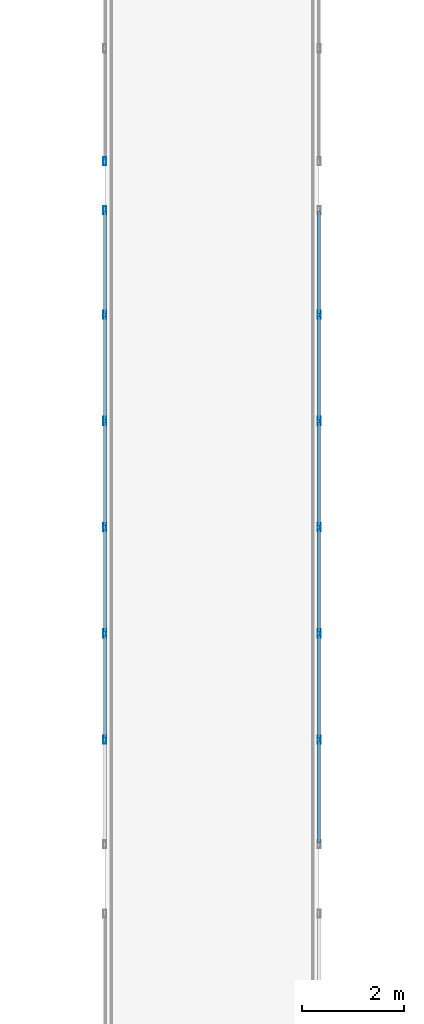
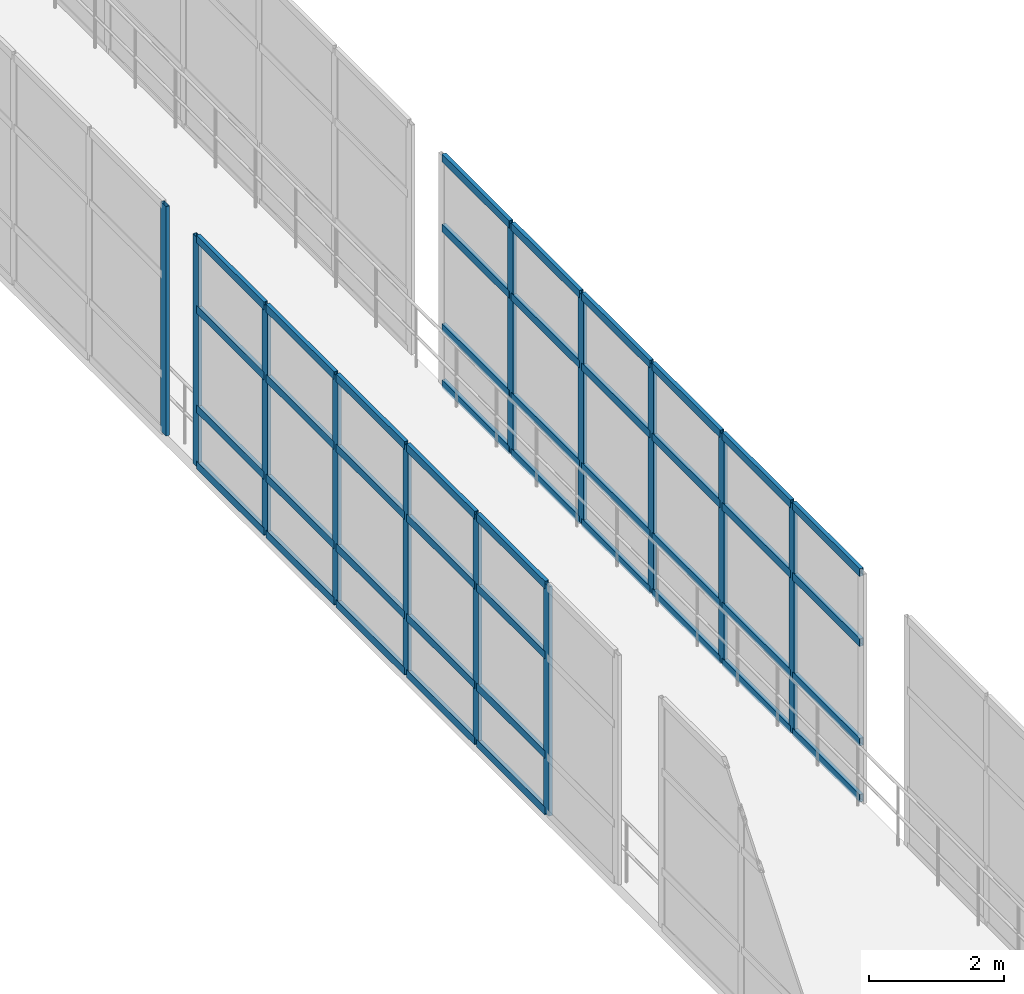
# One storey, part 66 of 116: 56 members, 3 elements without a shape of their own.
"""IFC4 building model written with IfcOpenShell, lengths in metres."""

import ifcopenshell
import ifcopenshell.guid

model = None  # the IFC model being written
_history = None  # IfcOwnerHistory: only IFC2X3 demands one
_inside = {}  # id of a spatial element -> (the spatial element, [elements in it])
_under = {}  # id of a project, library or spatial element -> (it, [spatial elements below it])
_declared = {}  # id of a project -> (the project, [libraries it declares])
_typed = {}  # id of a type object -> (the type object, [elements of that type])
_made_of = {}  # id of a material, layer set ... -> (it, [elements and type objects made of it])


def new_model(schema):
    """Start an empty IFC model of exactly this schema.

    Asked for "IFC4X3", IfcOpenShell would pick the latest addendum, in which some entities
    have other attributes; the version numbers below select the first issue.
    IFC2X3 requires an IfcOwnerHistory on every rooted entity: one is made here for all.
    """
    global model, _history
    if schema == "IFC4X3":
        model = ifcopenshell.file(schema_version=(4, 3, 0, 0))
    else:
        model = ifcopenshell.file(schema=schema)
    _inside.clear()
    _under.clear()
    _declared.clear()
    _typed.clear()
    _made_of.clear()
    _history = None
    if model.schema == "IFC2X3":
        org = make("IfcOrganization", Name="unknown")
        user = make(
            "IfcPersonAndOrganization",
            ThePerson=make("IfcPerson", FamilyName="unknown"),
            TheOrganization=org,
        )
        app = make(
            "IfcApplication",
            ApplicationDeveloper=org,
            Version="unknown",
            ApplicationFullName="unknown",
            ApplicationIdentifier="unknown",
        )
        _history = make(
            "IfcOwnerHistory",
            OwningUser=user,
            OwningApplication=app,
            ChangeAction="ADDED",
            CreationDate=0,
        )
    return model


def make(cls, **values):
    """One entity of the class cls with the attributes given. An attribute that is None is left unset."""
    return model.create_entity(
        cls, **{name: value for name, value in values.items() if value is not None}
    )


def rooted(cls, **values):
    """An entity with a GlobalId (a new one), such as an element, a storey or a relation."""
    return make(cls, GlobalId=ifcopenshell.guid.new(), OwnerHistory=_history, **values)


def si_unit(unit_type, name, prefix=None):
    """IfcSIUnit, for example si_unit("LENGTHUNIT", "METRE", prefix="MILLI")."""
    return make("IfcSIUnit", UnitType=unit_type, Prefix=prefix, Name=name)


def assignment(units):
    """IfcUnitAssignment: the units of a project."""
    return None if units is None else make("IfcUnitAssignment", Units=units)


def point(xyz):
    """IfcCartesianPoint."""
    return None if xyz is None else make("IfcCartesianPoint", Coordinates=xyz)


def direction(xyz):
    """IfcDirection."""
    return None if xyz is None else make("IfcDirection", DirectionRatios=xyz)


def frame(location, z_axis=None, x_axis=None):
    """IfcAxis2Placement3D, a coordinate frame: its origin and axes. An axis left out is left unset."""
    return make(
        "IfcAxis2Placement3D",
        Location=point(location),
        Axis=direction(z_axis),
        RefDirection=direction(x_axis),
    )


def frame_2d(location, x_axis=None):
    """IfcAxis2Placement2D, a coordinate frame in the plane: its origin and x axis."""
    return make(
        "IfcAxis2Placement2D", Location=point(location), RefDirection=direction(x_axis)
    )


def origin():
    """The frame at (0, 0, 0) with its axes left unset."""
    return frame((0.0, 0.0, 0.0))


def origin_2d():
    """The frame at (0, 0) in the plane with its x axis left unset."""
    return frame_2d((0.0, 0.0))


def place(relative_to, where):
    """IfcLocalPlacement: puts the frame where relative to a parent placement (None: the world)."""
    return make(
        "IfcLocalPlacement", PlacementRelTo=relative_to, RelativePlacement=where
    )


def context(
    kind, dimensions, precision=None, world=None, true_north=None, identifier=None
):
    """IfcGeometricRepresentationContext, for example the 3D "Model" context."""
    return make(
        "IfcGeometricRepresentationContext",
        ContextIdentifier=identifier,
        ContextType=kind,
        CoordinateSpaceDimension=dimensions,
        Precision=precision,
        WorldCoordinateSystem=world,
        TrueNorth=true_north,
    )


def subcontext(parent, identifier, kind, view, scale=None):
    """IfcGeometricRepresentationSubContext, for example "Body" below "Model"."""
    return make(
        "IfcGeometricRepresentationSubContext",
        ContextIdentifier=identifier,
        ContextType=kind,
        ParentContext=parent,
        TargetScale=scale,
        TargetView=view,
    )


def project(units=None, contexts=None):
    """IfcProject with its units and contexts."""
    return rooted(
        "IfcProject",
        Name="project",
        RepresentationContexts=contexts,
        UnitsInContext=assignment(units),
    )


def spatial(cls, under=None, at=None, **own):
    """A site, building, storey or space (cls), placed at a placement, below another one or the project."""
    s = rooted(cls, ObjectPlacement=at, **own)
    if under is not None:
        _under.setdefault(under.id(), (under, []))[1].append(s)
    return s


def profile(cls, at=None, kind="AREA", **sizes):
    """A parametric profile (cls). Its sizes go by their IFC names, for example OverallWidth=200.0."""
    return make(cls, ProfileType=kind, Position=at, **sizes)


def hollow_rectangle(**sizes):
    """IfcRectangleHollowProfileDef."""
    return profile("IfcRectangleHollowProfileDef", **sizes)


def extrude(swept, where, along, depth):
    """IfcExtrudedAreaSolid: the profile swept, set in the frame where, extruded along a direction by depth."""
    return make(
        "IfcExtrudedAreaSolid",
        SweptArea=swept,
        Position=where,
        ExtrudedDirection=direction(along),
        Depth=depth,
    )


def shape(context_of_items, identifier, shape_type, items):
    """IfcShapeRepresentation: the items that make up one representation, for example the "Body"."""
    return make(
        "IfcShapeRepresentation",
        ContextOfItems=context_of_items,
        RepresentationIdentifier=identifier,
        RepresentationType=shape_type,
        Items=items,
    )


def material(Name=None, Category=None):
    """IfcMaterial."""
    return make("IfcMaterial", Name=Name, Category=Category)


def layer(
    of_material, thickness, ventilated=None, Name=None, Category=None, Priority=None
):
    """IfcMaterialLayer: one layer of a wall or slab, of a material (None: an air gap)."""
    return make(
        "IfcMaterialLayer",
        Material=of_material,
        LayerThickness=thickness,
        IsVentilated=ventilated,
        Name=Name,
        Category=Category,
        Priority=Priority,
    )


def layer_set(layers, Name=None):
    """IfcMaterialLayerSet."""
    return make("IfcMaterialLayerSet", MaterialLayers=layers, LayerSetName=Name)


def material_profile(
    of_material, cross_section, Name=None, Category=None, Priority=None
):
    """IfcMaterialProfile: a cross section and its material."""
    return make(
        "IfcMaterialProfile",
        Name=Name,
        Material=of_material,
        Profile=cross_section,
        Priority=Priority,
        Category=Category,
    )


def profile_set(profiles, Name=None, composite=None):
    """IfcMaterialProfileSet."""
    return make(
        "IfcMaterialProfileSet",
        Name=Name,
        MaterialProfiles=profiles,
        CompositeProfile=composite,
    )


def made_of(thing, what):
    """Note that an element or type object is made of a material, layer set ...; save() writes the relation."""
    if what is not None:
        _made_of.setdefault(what.id(), (what, []))[1].append(thing)
    return thing


def type_object(cls, material=None, **own):
    """A type object (cls), such as IfcWallType, which elements share."""
    return made_of(rooted(cls, **own), material)


def element(
    cls,
    number,
    at=None,
    inside=None,
    cuts=None,
    type_object=None,
    material=None,
    context=None,
    identifier="Body",
    shape_type=None,
    held_by="IfcProductDefinitionShape",
    body=None,
    shapes=None,
    **own,
):
    """One element of the class cls, such as IfcWall. Its Tag is "e" and its number.

    at: its placement. inside: the storey or other place that contains it. cuts: it is an
    opening in that element (IfcRelVoidsElement). A single representation is given by context,
    identifier, shape_type and body (its items); several are given by shapes. held_by: the class
    of the entity that holds the representations. save() writes the other relations.
    """
    e = rooted(cls, Tag="e%d" % number, ObjectPlacement=at, **own)
    if body is not None:
        shapes = [shape(context, identifier, shape_type, body)]
    if shapes is not None:
        e.Representation = make(held_by, Representations=shapes)
    if inside is not None:
        _inside.setdefault(inside.id(), (inside, []))[1].append(e)
    if cuts is not None:
        rooted(
            "IfcRelVoidsElement", RelatingBuildingElement=cuts, RelatedOpeningElement=e
        )
    if type_object is not None:
        _typed.setdefault(type_object.id(), (type_object, []))[1].append(e)
    return made_of(e, material)


def aggregate(whole, parts):
    """IfcRelAggregates: a whole, such as a stair, and the parts it consists of."""
    return rooted("IfcRelAggregates", RelatingObject=whole, RelatedObjects=parts)


def save(model, path):
    """Write the relations noted so far, then the file.

    IfcRelAggregates (storeys below a building ...), IfcRelContainedInSpatialStructure (elements
    in a storey), IfcRelDefinesByType, IfcRelAssociatesMaterial and IfcRelDeclares: one each for
    every whole, place, type object, material and project.
    """
    for whole, parts in _under.values():
        aggregate(whole, parts)
    for where, things in _inside.values():
        rooted(
            "IfcRelContainedInSpatialStructure",
            RelatedElements=things,
            RelatingStructure=where,
        )
    for kind, things in _typed.values():
        rooted("IfcRelDefinesByType", RelatedObjects=things, RelatingType=kind)
    for what, things in _made_of.values():
        rooted("IfcRelAssociatesMaterial", RelatedObjects=things, RelatingMaterial=what)
    for by, libraries in _declared.values():
        rooted("IfcRelDeclares", RelatingContext=by, RelatedDefinitions=libraries)
    model.write(path)


model = new_model("IFC4")

# Units and contexts
model_context = context("Model", 3, precision=1e-05, world=origin(), true_north=direction((0.0, 1.0)))
body_context = subcontext(model_context, "Body", "Model", "MODEL_VIEW")
ifc_project = project(units=[si_unit("LENGTHUNIT", "METRE"), si_unit("AREAUNIT", "SQUARE_METRE"), si_unit("VOLUMEUNIT", "CUBIC_METRE"), si_unit("PLANEANGLEUNIT", "RADIAN"), si_unit("MASSUNIT", "GRAM", prefix="KILO")], contexts=[model_context])

# Site, building, storey
site_placement = place(None, origin())
site = spatial("IfcSite", under=ifc_project, at=site_placement, CompositionType="ELEMENT")
building_placement = place(site_placement, origin())
building = spatial("IfcBuilding", under=site, at=building_placement, Name="Selat Folded Stagehouse", CompositionType="ELEMENT")
storey_placement = place(building_placement, frame((0.0, 0.0, 5.39990234375)))
storey = spatial("IfcBuildingStorey", under=building, at=storey_placement, Name="L01", CompositionType="ELEMENT", Elevation=5.39990234375)

# Curtain wall, members
ifc_material = material(Name="Aluminium 6063-T6", Category="aluminium")
ifc_layer = layer(ifc_material, 0.175048828125)
ifc_layer_set = layer_set([ifc_layer], Name="Aluminium 6063-T6")
curtain_wall_type = type_object("IfcCurtainWallType", Name="CW-BRG-GLAZ", PredefinedType="NOTDEFINED", material=ifc_layer_set)
curtain_wall_1_placement = place(storey_placement, origin())
curtain_wall_1 = element("IfcCurtainWall", 1, at=curtain_wall_1_placement, inside=storey, type_object=curtain_wall_type, Name="L01 curtain wall CW-BRG-04", PredefinedType="NOTDEFINED")
ifc_material_profile_1 = material_profile(ifc_material, hollow_rectangle(XDim=0.06005859375, YDim=0.159912109375, WallThickness=0.00390625, at=origin_2d()), Name="ALU 160x60x4.0")
ifc_profile_set_1 = profile_set([ifc_material_profile_1], Name="Aluminium 6063-T6")
member_type_1 = type_object("IfcMemberType", Name="CWM-MUL-160x60", PredefinedType="MULLION", material=ifc_profile_set_1)
member_1_placement = place(storey_placement, frame((67.199951171875, 65.13330078125, 0.0), z_axis=(0.0, 0.0, 1.0), x_axis=(-1.0, 0.0, 0.0)))
member_1 = element("IfcMember", 2, at=member_1_placement, type_object=member_type_1, Name="CW-07 mullion 2", PredefinedType="MULLION", context=body_context, shape_type="SweptSolid", body=[
    extrude(hollow_rectangle(XDim=0.06005859375, YDim=0.159912109375, WallThickness=0.00390625, at=origin_2d()), origin(), (0.0, 0.0, 1.0), 4.150146484375),
])
member_2_placement = place(storey_placement, frame((67.199951171875, 67.216552734375, 0.0), z_axis=(0.0, 0.0, 1.0), x_axis=(-1.0, 0.0, 0.0)))
member_2 = element("IfcMember", 3, at=member_2_placement, type_object=member_type_1, Name="CW-07 mullion 3", PredefinedType="MULLION", context=body_context, shape_type="SweptSolid", body=[
    extrude(hollow_rectangle(XDim=0.06005859375, YDim=0.159912109375, WallThickness=0.00390625, at=origin_2d()), origin(), (0.0, 0.0, 1.0), 4.150146484375),
])
member_3_placement = place(storey_placement, frame((67.199951171875, 69.300048828125, 0.0), z_axis=(0.0, 0.0, 1.0), x_axis=(-1.0, 0.0, 0.0)))
member_3 = element("IfcMember", 4, at=member_3_placement, type_object=member_type_1, Name="CW-07 mullion 4", PredefinedType="MULLION", context=body_context, shape_type="SweptSolid", body=[
    extrude(hollow_rectangle(XDim=0.06005859375, YDim=0.159912109375, WallThickness=0.00390625, at=origin_2d()), origin(), (0.0, 0.0, 1.0), 4.150146484375),
])
member_4_placement = place(storey_placement, frame((67.199951171875, 71.38330078125, 0.0), z_axis=(0.0, 0.0, 1.0), x_axis=(-1.0, 0.0, 0.0)))
member_4 = element("IfcMember", 5, at=member_4_placement, type_object=member_type_1, Name="CW-07 mullion 5", PredefinedType="MULLION", context=body_context, shape_type="SweptSolid", body=[
    extrude(hollow_rectangle(XDim=0.06005859375, YDim=0.159912109375, WallThickness=0.00390625, at=origin_2d()), origin(), (0.0, 0.0, 1.0), 4.150146484375),
])
member_5_placement = place(storey_placement, frame((67.199951171875, 73.466552734375, 0.0), z_axis=(0.0, 0.0, 1.0), x_axis=(-1.0, 0.0, 0.0)))
member_5 = element("IfcMember", 6, at=member_5_placement, type_object=member_type_1, Name="CW-07 mullion 6", PredefinedType="MULLION", context=body_context, shape_type="SweptSolid", body=[
    extrude(hollow_rectangle(XDim=0.06005859375, YDim=0.159912109375, WallThickness=0.00390625, at=origin_2d()), origin(), (0.0, 0.0, 1.0), 4.150146484375),
])
member_6_placement = place(storey_placement, frame((67.199951171875, 75.52001953125, 0.0), z_axis=(0.0, 0.0, 1.0), x_axis=(-1.0, 0.0, 0.0)))
member_6 = element("IfcMember", 7, at=member_6_placement, type_object=member_type_1, Name="CW-07 mullion 7", PredefinedType="MULLION", context=body_context, shape_type="SweptSolid", body=[
    extrude(hollow_rectangle(XDim=0.06005859375, YDim=0.159912109375, WallThickness=0.00390625, at=origin_2d()), origin(), (0.0, 0.0, 1.0), 4.150146484375),
])

# Curtain wall, member
curtain_wall_2_placement = place(storey_placement, origin())
curtain_wall_2 = element("IfcCurtainWall", 8, at=curtain_wall_2_placement, inside=storey, type_object=curtain_wall_type, Name="L01 curtain wall CW-BRG-05", PredefinedType="NOTDEFINED")
member_7_placement = place(storey_placement, frame((67.199951171875, 76.47998046875, 0.0), z_axis=(0.0, 0.0, 1.0), x_axis=(-1.0, 0.0, 0.0)))
member_7 = element("IfcMember", 9, at=member_7_placement, type_object=member_type_1, Name="CW-07 mullion 1", PredefinedType="MULLION", context=body_context, shape_type="SweptSolid", body=[
    extrude(hollow_rectangle(XDim=0.06005859375, YDim=0.159912109375, WallThickness=0.00390625, at=origin_2d()), origin(), (0.0, 0.0, 1.0), 4.150146484375),
])
aggregate(curtain_wall_2, [member_7])

# Curtain wall, members
curtain_wall_3_placement = place(storey_placement, origin())
curtain_wall_3 = element("IfcCurtainWall", 10, at=curtain_wall_3_placement, inside=storey, type_object=curtain_wall_type, Name="L01 curtain wall CW-BRG-09", PredefinedType="NOTDEFINED")
member_8_placement = place(storey_placement, frame((71.39990234375, 73.466552734375, 0.0), z_axis=(0.0, 0.0, 1.0), x_axis=(1.0, 0.0, 0.0)))
member_8 = element("IfcMember", 11, at=member_8_placement, type_object=member_type_1, Name="CW-07 mullion 2", PredefinedType="MULLION", context=body_context, shape_type="SweptSolid", body=[
    extrude(hollow_rectangle(XDim=0.06005859375, YDim=0.159912109375, WallThickness=0.00390625, at=origin_2d()), origin(), (0.0, 0.0, 1.0), 4.150146484375),
])
member_9_placement = place(storey_placement, frame((71.39990234375, 71.38330078125, 0.0), z_axis=(0.0, 0.0, 1.0), x_axis=(1.0, 0.0, 0.0)))
member_9 = element("IfcMember", 12, at=member_9_placement, type_object=member_type_1, Name="CW-07 mullion 3", PredefinedType="MULLION", context=body_context, shape_type="SweptSolid", body=[
    extrude(hollow_rectangle(XDim=0.06005859375, YDim=0.159912109375, WallThickness=0.00390625, at=origin_2d()), origin(), (0.0, 0.0, 1.0), 4.150146484375),
])
member_10_placement = place(storey_placement, frame((71.39990234375, 69.300048828125, 0.0), z_axis=(0.0, 0.0, 1.0), x_axis=(1.0, 0.0, 0.0)))
member_10 = element("IfcMember", 13, at=member_10_placement, type_object=member_type_1, Name="CW-07 mullion 4", PredefinedType="MULLION", context=body_context, shape_type="SweptSolid", body=[
    extrude(hollow_rectangle(XDim=0.06005859375, YDim=0.159912109375, WallThickness=0.00390625, at=origin_2d()), origin(), (0.0, 0.0, 1.0), 4.150146484375),
])
member_11_placement = place(storey_placement, frame((71.39990234375, 67.216552734375, 0.0), z_axis=(0.0, 0.0, 1.0), x_axis=(1.0, 0.0, 0.0)))
member_11 = element("IfcMember", 14, at=member_11_placement, type_object=member_type_1, Name="CW-07 mullion 5", PredefinedType="MULLION", context=body_context, shape_type="SweptSolid", body=[
    extrude(hollow_rectangle(XDim=0.06005859375, YDim=0.159912109375, WallThickness=0.00390625, at=origin_2d()), origin(), (0.0, 0.0, 1.0), 4.150146484375),
])
member_12_placement = place(storey_placement, frame((71.39990234375, 65.13330078125, 0.0), z_axis=(0.0, 0.0, 1.0), x_axis=(1.0, 0.0, 0.0)))
member_12 = element("IfcMember", 15, at=member_12_placement, type_object=member_type_1, Name="CW-07 mullion 6", PredefinedType="MULLION", context=body_context, shape_type="SweptSolid", body=[
    extrude(hollow_rectangle(XDim=0.06005859375, YDim=0.159912109375, WallThickness=0.00390625, at=origin_2d()), origin(), (0.0, 0.0, 1.0), 4.150146484375),
])

# Member
ifc_material_profile_2 = material_profile(ifc_material, hollow_rectangle(XDim=0.06494140625, YDim=0.139892578125, WallThickness=0.00390625, at=origin_2d()), Name="ALU 140x65x4.0")
ifc_profile_set_2 = profile_set([ifc_material_profile_2], Name="Aluminium 6063-T6")
member_type_2 = type_object("IfcMemberType", Name="CWM-TRN-140x65", PredefinedType="USERDEFINED", material=ifc_profile_set_2)
member_13_placement = place(storey_placement, frame((67.199951171875, 65.163330078125, 0.03271484375), z_axis=(0.0, 1.0, 0.0), x_axis=(-1.0, 0.0, 0.0)))
member_13 = element("IfcMember", 16, at=member_13_placement, type_object=member_type_2, Name="CW-07 transom 2.1", ObjectType="TRANSOM", PredefinedType="USERDEFINED", context=body_context, shape_type="SweptSolid", body=[
    extrude(hollow_rectangle(XDim=0.06494140625, YDim=0.139892578125, WallThickness=0.00390625, at=origin_2d()), origin(), (0.0, 0.0, 1.0), 2.0234375),
])

member_14_placement = place(storey_placement, frame((67.199951171875, 65.163330078125, 1.050048828125), z_axis=(0.0, 1.0, 0.0), x_axis=(-1.0, 0.0, 0.0)))
member_14 = element("IfcMember", 17, at=member_14_placement, type_object=member_type_2, Name="CW-07 transom 2.2", ObjectType="TRANSOM", PredefinedType="USERDEFINED", context=body_context, shape_type="SweptSolid", body=[
    extrude(hollow_rectangle(XDim=0.06494140625, YDim=0.139892578125, WallThickness=0.00390625, at=origin_2d()), origin(), (0.0, 0.0, 1.0), 2.0234375),
])

member_15_placement = place(storey_placement, frame((67.199951171875, 65.163330078125, 2.85009765625), z_axis=(0.0, 1.0, 0.0), x_axis=(-1.0, 0.0, 0.0)))
member_15 = element("IfcMember", 18, at=member_15_placement, type_object=member_type_2, Name="CW-07 transom 2.3", ObjectType="TRANSOM", PredefinedType="USERDEFINED", context=body_context, shape_type="SweptSolid", body=[
    extrude(hollow_rectangle(XDim=0.06494140625, YDim=0.139892578125, WallThickness=0.00390625, at=origin_2d()), origin(), (0.0, 0.0, 1.0), 2.0234375),
])

member_16_placement = place(storey_placement, frame((67.199951171875, 65.163330078125, 4.11767578125), z_axis=(0.0, 1.0, 0.0), x_axis=(-1.0, 0.0, 0.0)))
member_16 = element("IfcMember", 19, at=member_16_placement, type_object=member_type_2, Name="CW-07 transom 2.4", ObjectType="TRANSOM", PredefinedType="USERDEFINED", context=body_context, shape_type="SweptSolid", body=[
    extrude(hollow_rectangle(XDim=0.06494140625, YDim=0.139892578125, WallThickness=0.00390625, at=origin_2d()), origin(), (0.0, 0.0, 1.0), 2.0234375),
])

member_17_placement = place(storey_placement, frame((67.199951171875, 67.24658203125, 0.03271484375), z_axis=(0.0, 1.0, 0.0), x_axis=(-1.0, 0.0, 0.0)))
member_17 = element("IfcMember", 20, at=member_17_placement, type_object=member_type_2, Name="CW-07 transom 3.1", ObjectType="TRANSOM", PredefinedType="USERDEFINED", context=body_context, shape_type="SweptSolid", body=[
    extrude(hollow_rectangle(XDim=0.06494140625, YDim=0.139892578125, WallThickness=0.00390625, at=origin_2d()), origin(), (0.0, 0.0, 1.0), 2.0234375),
])

member_18_placement = place(storey_placement, frame((67.199951171875, 67.24658203125, 1.050048828125), z_axis=(0.0, 1.0, 0.0), x_axis=(-1.0, 0.0, 0.0)))
member_18 = element("IfcMember", 21, at=member_18_placement, type_object=member_type_2, Name="CW-07 transom 3.2", ObjectType="TRANSOM", PredefinedType="USERDEFINED", context=body_context, shape_type="SweptSolid", body=[
    extrude(hollow_rectangle(XDim=0.06494140625, YDim=0.139892578125, WallThickness=0.00390625, at=origin_2d()), origin(), (0.0, 0.0, 1.0), 2.0234375),
])

member_19_placement = place(storey_placement, frame((67.199951171875, 67.24658203125, 2.85009765625), z_axis=(0.0, 1.0, 0.0), x_axis=(-1.0, 0.0, 0.0)))
member_19 = element("IfcMember", 22, at=member_19_placement, type_object=member_type_2, Name="CW-07 transom 3.3", ObjectType="TRANSOM", PredefinedType="USERDEFINED", context=body_context, shape_type="SweptSolid", body=[
    extrude(hollow_rectangle(XDim=0.06494140625, YDim=0.139892578125, WallThickness=0.00390625, at=origin_2d()), origin(), (0.0, 0.0, 1.0), 2.0234375),
])

member_20_placement = place(storey_placement, frame((67.199951171875, 67.24658203125, 4.11767578125), z_axis=(0.0, 1.0, 0.0), x_axis=(-1.0, 0.0, 0.0)))
member_20 = element("IfcMember", 23, at=member_20_placement, type_object=member_type_2, Name="CW-07 transom 3.4", ObjectType="TRANSOM", PredefinedType="USERDEFINED", context=body_context, shape_type="SweptSolid", body=[
    extrude(hollow_rectangle(XDim=0.06494140625, YDim=0.139892578125, WallThickness=0.00390625, at=origin_2d()), origin(), (0.0, 0.0, 1.0), 2.0234375),
])

member_21_placement = place(storey_placement, frame((67.199951171875, 69.330078125, 0.03271484375), z_axis=(0.0, 1.0, 0.0), x_axis=(-1.0, 0.0, 0.0)))
member_21 = element("IfcMember", 24, at=member_21_placement, type_object=member_type_2, Name="CW-07 transom 4.1", ObjectType="TRANSOM", PredefinedType="USERDEFINED", context=body_context, shape_type="SweptSolid", body=[
    extrude(hollow_rectangle(XDim=0.06494140625, YDim=0.139892578125, WallThickness=0.00390625, at=origin_2d()), origin(), (0.0, 0.0, 1.0), 2.023193359375),
])

member_22_placement = place(storey_placement, frame((67.199951171875, 69.330078125, 1.050048828125), z_axis=(0.0, 1.0, 0.0), x_axis=(-1.0, 0.0, 0.0)))
member_22 = element("IfcMember", 25, at=member_22_placement, type_object=member_type_2, Name="CW-07 transom 4.2", ObjectType="TRANSOM", PredefinedType="USERDEFINED", context=body_context, shape_type="SweptSolid", body=[
    extrude(hollow_rectangle(XDim=0.06494140625, YDim=0.139892578125, WallThickness=0.00390625, at=origin_2d()), origin(), (0.0, 0.0, 1.0), 2.023193359375),
])

member_23_placement = place(storey_placement, frame((67.199951171875, 69.330078125, 2.85009765625), z_axis=(0.0, 1.0, 0.0), x_axis=(-1.0, 0.0, 0.0)))
member_23 = element("IfcMember", 26, at=member_23_placement, type_object=member_type_2, Name="CW-07 transom 4.3", ObjectType="TRANSOM", PredefinedType="USERDEFINED", context=body_context, shape_type="SweptSolid", body=[
    extrude(hollow_rectangle(XDim=0.06494140625, YDim=0.139892578125, WallThickness=0.00390625, at=origin_2d()), origin(), (0.0, 0.0, 1.0), 2.023193359375),
])

member_24_placement = place(storey_placement, frame((67.199951171875, 69.330078125, 4.11767578125), z_axis=(0.0, 1.0, 0.0), x_axis=(-1.0, 0.0, 0.0)))
member_24 = element("IfcMember", 27, at=member_24_placement, type_object=member_type_2, Name="CW-07 transom 4.4", ObjectType="TRANSOM", PredefinedType="USERDEFINED", context=body_context, shape_type="SweptSolid", body=[
    extrude(hollow_rectangle(XDim=0.06494140625, YDim=0.139892578125, WallThickness=0.00390625, at=origin_2d()), origin(), (0.0, 0.0, 1.0), 2.023193359375),
])

member_25_placement = place(storey_placement, frame((67.199951171875, 71.413330078125, 0.03271484375), z_axis=(0.0, 1.0, 0.0), x_axis=(-1.0, 0.0, 0.0)))
member_25 = element("IfcMember", 28, at=member_25_placement, type_object=member_type_2, Name="CW-07 transom 5.1", ObjectType="TRANSOM", PredefinedType="USERDEFINED", context=body_context, shape_type="SweptSolid", body=[
    extrude(hollow_rectangle(XDim=0.06494140625, YDim=0.139892578125, WallThickness=0.00390625, at=origin_2d()), origin(), (0.0, 0.0, 1.0), 2.0234375),
])

member_26_placement = place(storey_placement, frame((67.199951171875, 71.413330078125, 1.050048828125), z_axis=(0.0, 1.0, 0.0), x_axis=(-1.0, 0.0, 0.0)))
member_26 = element("IfcMember", 29, at=member_26_placement, type_object=member_type_2, Name="CW-07 transom 5.2", ObjectType="TRANSOM", PredefinedType="USERDEFINED", context=body_context, shape_type="SweptSolid", body=[
    extrude(hollow_rectangle(XDim=0.06494140625, YDim=0.139892578125, WallThickness=0.00390625, at=origin_2d()), origin(), (0.0, 0.0, 1.0), 2.0234375),
])

member_27_placement = place(storey_placement, frame((67.199951171875, 71.413330078125, 2.85009765625), z_axis=(0.0, 1.0, 0.0), x_axis=(-1.0, 0.0, 0.0)))
member_27 = element("IfcMember", 30, at=member_27_placement, type_object=member_type_2, Name="CW-07 transom 5.3", ObjectType="TRANSOM", PredefinedType="USERDEFINED", context=body_context, shape_type="SweptSolid", body=[
    extrude(hollow_rectangle(XDim=0.06494140625, YDim=0.139892578125, WallThickness=0.00390625, at=origin_2d()), origin(), (0.0, 0.0, 1.0), 2.0234375),
])

member_28_placement = place(storey_placement, frame((67.199951171875, 71.413330078125, 4.11767578125), z_axis=(0.0, 1.0, 0.0), x_axis=(-1.0, 0.0, 0.0)))
member_28 = element("IfcMember", 31, at=member_28_placement, type_object=member_type_2, Name="CW-07 transom 5.4", ObjectType="TRANSOM", PredefinedType="USERDEFINED", context=body_context, shape_type="SweptSolid", body=[
    extrude(hollow_rectangle(XDim=0.06494140625, YDim=0.139892578125, WallThickness=0.00390625, at=origin_2d()), origin(), (0.0, 0.0, 1.0), 2.0234375),
])

member_29_placement = place(storey_placement, frame((67.199951171875, 73.49658203125, 0.03271484375), z_axis=(0.0, 1.0, 0.0), x_axis=(-1.0, 0.0, 0.0)))
member_29 = element("IfcMember", 32, at=member_29_placement, type_object=member_type_2, Name="CW-07 transom 6.1", ObjectType="TRANSOM", PredefinedType="USERDEFINED", context=body_context, shape_type="SweptSolid", body=[
    extrude(hollow_rectangle(XDim=0.06494140625, YDim=0.139892578125, WallThickness=0.00390625, at=origin_2d()), origin(), (0.0, 0.0, 1.0), 1.993408203125),
])

member_30_placement = place(storey_placement, frame((67.199951171875, 73.49658203125, 1.050048828125), z_axis=(0.0, 1.0, 0.0), x_axis=(-1.0, 0.0, 0.0)))
member_30 = element("IfcMember", 33, at=member_30_placement, type_object=member_type_2, Name="CW-07 transom 6.2", ObjectType="TRANSOM", PredefinedType="USERDEFINED", context=body_context, shape_type="SweptSolid", body=[
    extrude(hollow_rectangle(XDim=0.06494140625, YDim=0.139892578125, WallThickness=0.00390625, at=origin_2d()), origin(), (0.0, 0.0, 1.0), 1.993408203125),
])

member_31_placement = place(storey_placement, frame((67.199951171875, 73.49658203125, 2.85009765625), z_axis=(0.0, 1.0, 0.0), x_axis=(-1.0, 0.0, 0.0)))
member_31 = element("IfcMember", 34, at=member_31_placement, type_object=member_type_2, Name="CW-07 transom 6.3", ObjectType="TRANSOM", PredefinedType="USERDEFINED", context=body_context, shape_type="SweptSolid", body=[
    extrude(hollow_rectangle(XDim=0.06494140625, YDim=0.139892578125, WallThickness=0.00390625, at=origin_2d()), origin(), (0.0, 0.0, 1.0), 1.993408203125),
])

member_32_placement = place(storey_placement, frame((67.199951171875, 73.49658203125, 4.11767578125), z_axis=(0.0, 1.0, 0.0), x_axis=(-1.0, 0.0, 0.0)))
member_32 = element("IfcMember", 35, at=member_32_placement, type_object=member_type_2, Name="CW-07 transom 6.4", ObjectType="TRANSOM", PredefinedType="USERDEFINED", context=body_context, shape_type="SweptSolid", body=[
    extrude(hollow_rectangle(XDim=0.06494140625, YDim=0.139892578125, WallThickness=0.00390625, at=origin_2d()), origin(), (0.0, 0.0, 1.0), 1.993408203125),
])

aggregate(curtain_wall_1, [member_1, member_2, member_3, member_4, member_5, member_6, member_13, member_14, member_15, member_16, member_17, member_18, member_19, member_20, member_21, member_22, member_23, member_24, member_25, member_26, member_27, member_28, member_29, member_30, member_31, member_32])

member_33_placement = place(storey_placement, frame((71.39990234375, 75.489990234375, 0.03271484375), z_axis=(0.0, -1.0, 0.0), x_axis=(1.0, 0.0, 0.0)))
member_33 = element("IfcMember", 36, at=member_33_placement, type_object=member_type_2, Name="CW-07 transom 1.1", ObjectType="TRANSOM", PredefinedType="USERDEFINED", context=body_context, shape_type="SweptSolid", body=[
    extrude(hollow_rectangle(XDim=0.06494140625, YDim=0.139892578125, WallThickness=0.00390625, at=origin_2d()), origin(), (0.0, 0.0, 1.0), 1.993408203125),
])

member_34_placement = place(storey_placement, frame((71.39990234375, 75.489990234375, 1.050048828125), z_axis=(0.0, -1.0, 0.0), x_axis=(1.0, 0.0, 0.0)))
member_34 = element("IfcMember", 37, at=member_34_placement, type_object=member_type_2, Name="CW-07 transom 1.2", ObjectType="TRANSOM", PredefinedType="USERDEFINED", context=body_context, shape_type="SweptSolid", body=[
    extrude(hollow_rectangle(XDim=0.06494140625, YDim=0.139892578125, WallThickness=0.00390625, at=origin_2d()), origin(), (0.0, 0.0, 1.0), 1.993408203125),
])

member_35_placement = place(storey_placement, frame((71.39990234375, 75.489990234375, 2.85009765625), z_axis=(0.0, -1.0, 0.0), x_axis=(1.0, 0.0, 0.0)))
member_35 = element("IfcMember", 38, at=member_35_placement, type_object=member_type_2, Name="CW-07 transom 1.3", ObjectType="TRANSOM", PredefinedType="USERDEFINED", context=body_context, shape_type="SweptSolid", body=[
    extrude(hollow_rectangle(XDim=0.06494140625, YDim=0.139892578125, WallThickness=0.00390625, at=origin_2d()), origin(), (0.0, 0.0, 1.0), 1.993408203125),
])

member_36_placement = place(storey_placement, frame((71.39990234375, 75.489990234375, 4.11767578125), z_axis=(0.0, -1.0, 0.0), x_axis=(1.0, 0.0, 0.0)))
member_36 = element("IfcMember", 39, at=member_36_placement, type_object=member_type_2, Name="CW-07 transom 1.4", ObjectType="TRANSOM", PredefinedType="USERDEFINED", context=body_context, shape_type="SweptSolid", body=[
    extrude(hollow_rectangle(XDim=0.06494140625, YDim=0.139892578125, WallThickness=0.00390625, at=origin_2d()), origin(), (0.0, 0.0, 1.0), 1.993408203125),
])

member_37_placement = place(storey_placement, frame((71.39990234375, 73.436767578125, 0.03271484375), z_axis=(0.0, -1.0, 0.0), x_axis=(1.0, 0.0, 0.0)))
member_37 = element("IfcMember", 40, at=member_37_placement, type_object=member_type_2, Name="CW-07 transom 2.1", ObjectType="TRANSOM", PredefinedType="USERDEFINED", context=body_context, shape_type="SweptSolid", body=[
    extrude(hollow_rectangle(XDim=0.06494140625, YDim=0.139892578125, WallThickness=0.00390625, at=origin_2d()), origin(), (0.0, 0.0, 1.0), 2.0234375),
])

member_38_placement = place(storey_placement, frame((71.39990234375, 73.436767578125, 1.050048828125), z_axis=(0.0, -1.0, 0.0), x_axis=(1.0, 0.0, 0.0)))
member_38 = element("IfcMember", 41, at=member_38_placement, type_object=member_type_2, Name="CW-07 transom 2.2", ObjectType="TRANSOM", PredefinedType="USERDEFINED", context=body_context, shape_type="SweptSolid", body=[
    extrude(hollow_rectangle(XDim=0.06494140625, YDim=0.139892578125, WallThickness=0.00390625, at=origin_2d()), origin(), (0.0, 0.0, 1.0), 2.0234375),
])

member_39_placement = place(storey_placement, frame((71.39990234375, 73.436767578125, 2.85009765625), z_axis=(0.0, -1.0, 0.0), x_axis=(1.0, 0.0, 0.0)))
member_39 = element("IfcMember", 42, at=member_39_placement, type_object=member_type_2, Name="CW-07 transom 2.3", ObjectType="TRANSOM", PredefinedType="USERDEFINED", context=body_context, shape_type="SweptSolid", body=[
    extrude(hollow_rectangle(XDim=0.06494140625, YDim=0.139892578125, WallThickness=0.00390625, at=origin_2d()), origin(), (0.0, 0.0, 1.0), 2.0234375),
])

member_40_placement = place(storey_placement, frame((71.39990234375, 73.436767578125, 4.11767578125), z_axis=(0.0, -1.0, 0.0), x_axis=(1.0, 0.0, 0.0)))
member_40 = element("IfcMember", 43, at=member_40_placement, type_object=member_type_2, Name="CW-07 transom 2.4", ObjectType="TRANSOM", PredefinedType="USERDEFINED", context=body_context, shape_type="SweptSolid", body=[
    extrude(hollow_rectangle(XDim=0.06494140625, YDim=0.139892578125, WallThickness=0.00390625, at=origin_2d()), origin(), (0.0, 0.0, 1.0), 2.0234375),
])

member_41_placement = place(storey_placement, frame((71.39990234375, 71.353271484375, 0.03271484375), z_axis=(0.0, -1.0, 0.0), x_axis=(1.0, 0.0, 0.0)))
member_41 = element("IfcMember", 44, at=member_41_placement, type_object=member_type_2, Name="CW-07 transom 3.1", ObjectType="TRANSOM", PredefinedType="USERDEFINED", context=body_context, shape_type="SweptSolid", body=[
    extrude(hollow_rectangle(XDim=0.06494140625, YDim=0.139892578125, WallThickness=0.00390625, at=origin_2d()), origin(), (0.0, 0.0, 1.0), 2.023193359375),
])

member_42_placement = place(storey_placement, frame((71.39990234375, 71.353271484375, 1.050048828125), z_axis=(0.0, -1.0, 0.0), x_axis=(1.0, 0.0, 0.0)))
member_42 = element("IfcMember", 45, at=member_42_placement, type_object=member_type_2, Name="CW-07 transom 3.2", ObjectType="TRANSOM", PredefinedType="USERDEFINED", context=body_context, shape_type="SweptSolid", body=[
    extrude(hollow_rectangle(XDim=0.06494140625, YDim=0.139892578125, WallThickness=0.00390625, at=origin_2d()), origin(), (0.0, 0.0, 1.0), 2.023193359375),
])

member_43_placement = place(storey_placement, frame((71.39990234375, 71.353271484375, 2.85009765625), z_axis=(0.0, -1.0, 0.0), x_axis=(1.0, 0.0, 0.0)))
member_43 = element("IfcMember", 46, at=member_43_placement, type_object=member_type_2, Name="CW-07 transom 3.3", ObjectType="TRANSOM", PredefinedType="USERDEFINED", context=body_context, shape_type="SweptSolid", body=[
    extrude(hollow_rectangle(XDim=0.06494140625, YDim=0.139892578125, WallThickness=0.00390625, at=origin_2d()), origin(), (0.0, 0.0, 1.0), 2.023193359375),
])

member_44_placement = place(storey_placement, frame((71.39990234375, 71.353271484375, 4.11767578125), z_axis=(0.0, -1.0, 0.0), x_axis=(1.0, 0.0, 0.0)))
member_44 = element("IfcMember", 47, at=member_44_placement, type_object=member_type_2, Name="CW-07 transom 3.4", ObjectType="TRANSOM", PredefinedType="USERDEFINED", context=body_context, shape_type="SweptSolid", body=[
    extrude(hollow_rectangle(XDim=0.06494140625, YDim=0.139892578125, WallThickness=0.00390625, at=origin_2d()), origin(), (0.0, 0.0, 1.0), 2.023193359375),
])

member_45_placement = place(storey_placement, frame((71.39990234375, 69.27001953125, 0.03271484375), z_axis=(0.0, -1.0, 0.0), x_axis=(1.0, 0.0, 0.0)))
member_45 = element("IfcMember", 48, at=member_45_placement, type_object=member_type_2, Name="CW-07 transom 4.1", ObjectType="TRANSOM", PredefinedType="USERDEFINED", context=body_context, shape_type="SweptSolid", body=[
    extrude(hollow_rectangle(XDim=0.06494140625, YDim=0.139892578125, WallThickness=0.00390625, at=origin_2d()), origin(), (0.0, 0.0, 1.0), 2.0234375),
])

member_46_placement = place(storey_placement, frame((71.39990234375, 69.27001953125, 1.050048828125), z_axis=(0.0, -1.0, 0.0), x_axis=(1.0, 0.0, 0.0)))
member_46 = element("IfcMember", 49, at=member_46_placement, type_object=member_type_2, Name="CW-07 transom 4.2", ObjectType="TRANSOM", PredefinedType="USERDEFINED", context=body_context, shape_type="SweptSolid", body=[
    extrude(hollow_rectangle(XDim=0.06494140625, YDim=0.139892578125, WallThickness=0.00390625, at=origin_2d()), origin(), (0.0, 0.0, 1.0), 2.0234375),
])

member_47_placement = place(storey_placement, frame((71.39990234375, 69.27001953125, 2.85009765625), z_axis=(0.0, -1.0, 0.0), x_axis=(1.0, 0.0, 0.0)))
member_47 = element("IfcMember", 50, at=member_47_placement, type_object=member_type_2, Name="CW-07 transom 4.3", ObjectType="TRANSOM", PredefinedType="USERDEFINED", context=body_context, shape_type="SweptSolid", body=[
    extrude(hollow_rectangle(XDim=0.06494140625, YDim=0.139892578125, WallThickness=0.00390625, at=origin_2d()), origin(), (0.0, 0.0, 1.0), 2.0234375),
])

member_48_placement = place(storey_placement, frame((71.39990234375, 69.27001953125, 4.11767578125), z_axis=(0.0, -1.0, 0.0), x_axis=(1.0, 0.0, 0.0)))
member_48 = element("IfcMember", 51, at=member_48_placement, type_object=member_type_2, Name="CW-07 transom 4.4", ObjectType="TRANSOM", PredefinedType="USERDEFINED", context=body_context, shape_type="SweptSolid", body=[
    extrude(hollow_rectangle(XDim=0.06494140625, YDim=0.139892578125, WallThickness=0.00390625, at=origin_2d()), origin(), (0.0, 0.0, 1.0), 2.0234375),
])

member_49_placement = place(storey_placement, frame((71.39990234375, 67.186767578125, 0.03271484375), z_axis=(0.0, -1.0, 0.0), x_axis=(1.0, 0.0, 0.0)))
member_49 = element("IfcMember", 52, at=member_49_placement, type_object=member_type_2, Name="CW-07 transom 5.1", ObjectType="TRANSOM", PredefinedType="USERDEFINED", context=body_context, shape_type="SweptSolid", body=[
    extrude(hollow_rectangle(XDim=0.06494140625, YDim=0.139892578125, WallThickness=0.00390625, at=origin_2d()), origin(), (0.0, 0.0, 1.0), 2.0234375),
])

member_50_placement = place(storey_placement, frame((71.39990234375, 67.186767578125, 1.050048828125), z_axis=(0.0, -1.0, 0.0), x_axis=(1.0, 0.0, 0.0)))
member_50 = element("IfcMember", 53, at=member_50_placement, type_object=member_type_2, Name="CW-07 transom 5.2", ObjectType="TRANSOM", PredefinedType="USERDEFINED", context=body_context, shape_type="SweptSolid", body=[
    extrude(hollow_rectangle(XDim=0.06494140625, YDim=0.139892578125, WallThickness=0.00390625, at=origin_2d()), origin(), (0.0, 0.0, 1.0), 2.0234375),
])

member_51_placement = place(storey_placement, frame((71.39990234375, 67.186767578125, 2.85009765625), z_axis=(0.0, -1.0, 0.0), x_axis=(1.0, 0.0, 0.0)))
member_51 = element("IfcMember", 54, at=member_51_placement, type_object=member_type_2, Name="CW-07 transom 5.3", ObjectType="TRANSOM", PredefinedType="USERDEFINED", context=body_context, shape_type="SweptSolid", body=[
    extrude(hollow_rectangle(XDim=0.06494140625, YDim=0.139892578125, WallThickness=0.00390625, at=origin_2d()), origin(), (0.0, 0.0, 1.0), 2.0234375),
])

member_52_placement = place(storey_placement, frame((71.39990234375, 67.186767578125, 4.11767578125), z_axis=(0.0, -1.0, 0.0), x_axis=(1.0, 0.0, 0.0)))
member_52 = element("IfcMember", 55, at=member_52_placement, type_object=member_type_2, Name="CW-07 transom 5.4", ObjectType="TRANSOM", PredefinedType="USERDEFINED", context=body_context, shape_type="SweptSolid", body=[
    extrude(hollow_rectangle(XDim=0.06494140625, YDim=0.139892578125, WallThickness=0.00390625, at=origin_2d()), origin(), (0.0, 0.0, 1.0), 2.0234375),
])

member_53_placement = place(storey_placement, frame((71.39990234375, 65.103271484375, 0.03271484375), z_axis=(0.0, -1.0, 0.0), x_axis=(1.0, 0.0, 0.0)))
member_53 = element("IfcMember", 56, at=member_53_placement, type_object=member_type_2, Name="CW-07 transom 6.1", ObjectType="TRANSOM", PredefinedType="USERDEFINED", context=body_context, shape_type="SweptSolid", body=[
    extrude(hollow_rectangle(XDim=0.06494140625, YDim=0.139892578125, WallThickness=0.00390625, at=origin_2d()), origin(), (0.0, 0.0, 1.0), 1.9931640625),
])

member_54_placement = place(storey_placement, frame((71.39990234375, 65.103271484375, 1.050048828125), z_axis=(0.0, -1.0, 0.0), x_axis=(1.0, 0.0, 0.0)))
member_54 = element("IfcMember", 57, at=member_54_placement, type_object=member_type_2, Name="CW-07 transom 6.2", ObjectType="TRANSOM", PredefinedType="USERDEFINED", context=body_context, shape_type="SweptSolid", body=[
    extrude(hollow_rectangle(XDim=0.06494140625, YDim=0.139892578125, WallThickness=0.00390625, at=origin_2d()), origin(), (0.0, 0.0, 1.0), 1.9931640625),
])

member_55_placement = place(storey_placement, frame((71.39990234375, 65.103271484375, 2.85009765625), z_axis=(0.0, -1.0, 0.0), x_axis=(1.0, 0.0, 0.0)))
member_55 = element("IfcMember", 58, at=member_55_placement, type_object=member_type_2, Name="CW-07 transom 6.3", ObjectType="TRANSOM", PredefinedType="USERDEFINED", context=body_context, shape_type="SweptSolid", body=[
    extrude(hollow_rectangle(XDim=0.06494140625, YDim=0.139892578125, WallThickness=0.00390625, at=origin_2d()), origin(), (0.0, 0.0, 1.0), 1.9931640625),
])

member_56_placement = place(storey_placement, frame((71.39990234375, 65.103271484375, 4.11767578125), z_axis=(0.0, -1.0, 0.0), x_axis=(1.0, 0.0, 0.0)))
member_56 = element("IfcMember", 59, at=member_56_placement, type_object=member_type_2, Name="CW-07 transom 6.4", ObjectType="TRANSOM", PredefinedType="USERDEFINED", context=body_context, shape_type="SweptSolid", body=[
    extrude(hollow_rectangle(XDim=0.06494140625, YDim=0.139892578125, WallThickness=0.00390625, at=origin_2d()), origin(), (0.0, 0.0, 1.0), 1.9931640625),
])

aggregate(curtain_wall_3, [member_8, member_9, member_10, member_11, member_12, member_33, member_34, member_35, member_36, member_37, member_38, member_39, member_40, member_41, member_42, member_43, member_44, member_45, member_46, member_47, member_48, member_49, member_50, member_51, member_52, member_53, member_54, member_55, member_56])

save(model, "model.ifc")
